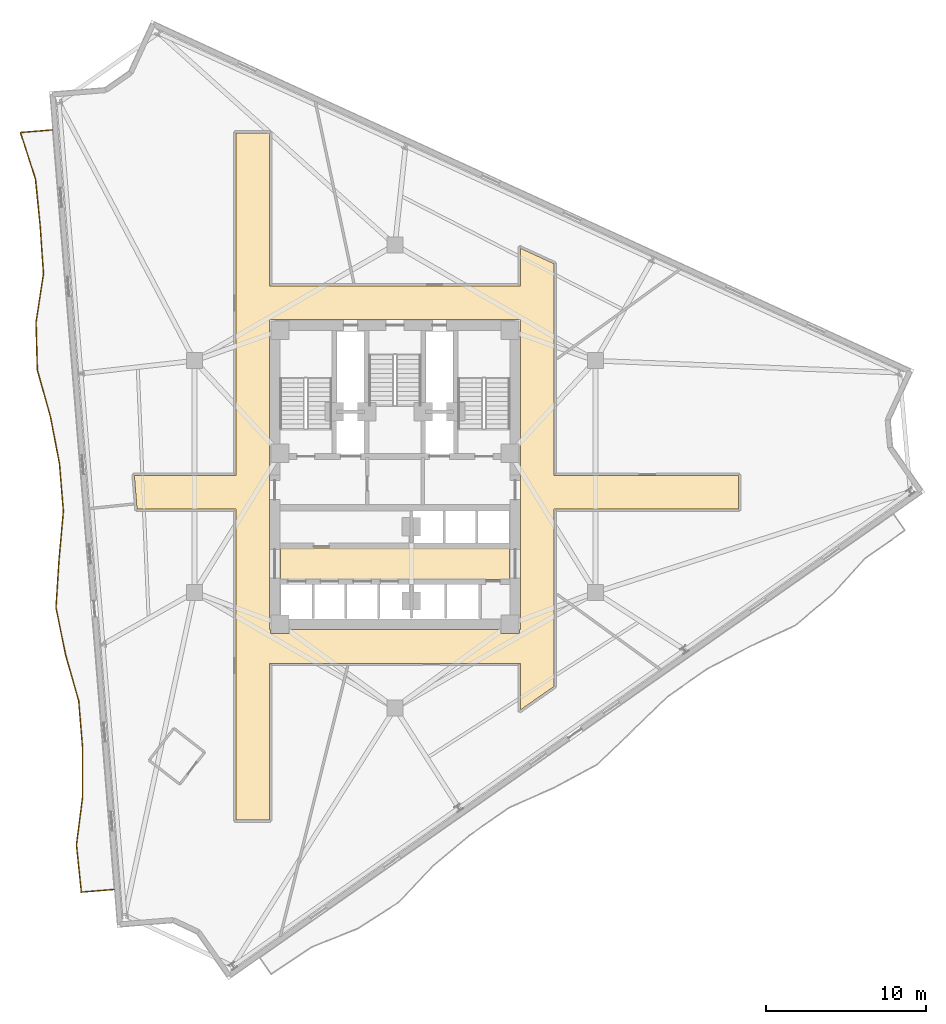
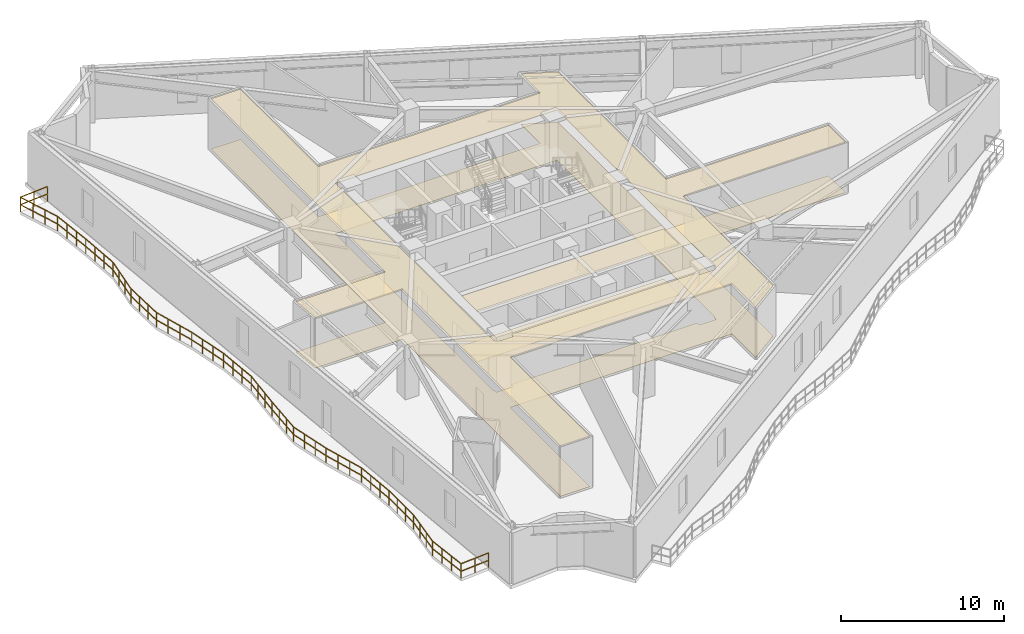
# One storey, part 8 of 10: 4 coverings, 1 railing.
"""IFC4 building model written with IfcOpenShell, lengths in metres."""

from ifc_helpers import new_model, si_unit, direction, frame, origin, origin_2d, place, context, subcontext, project, spatial, polyline, rectangle, outline, extrude, material, layer, layer_set, type_object, element, save


model = new_model("IFC4")

# Units and contexts
model_context = context("Model", 3, precision=1e-05, world=origin(), true_north=direction((0.0, 1.0)))
body_context = subcontext(model_context, "Body", "Model", "MODEL_VIEW")
ifc_project = project(units=[si_unit("LENGTHUNIT", "METRE"), si_unit("AREAUNIT", "SQUARE_METRE"), si_unit("VOLUMEUNIT", "CUBIC_METRE"), si_unit("PLANEANGLEUNIT", "RADIAN"), si_unit("MASSUNIT", "GRAM", prefix="KILO")], contexts=[model_context])

# Site, building, storey
site_placement = place(None, origin())
site = spatial("IfcSite", under=ifc_project, at=site_placement, CompositionType="ELEMENT")
building_placement = place(site_placement, origin())
building = spatial("IfcBuilding", under=site, at=building_placement, Name="Apsidion Concourse Tower", CompositionType="ELEMENT")
storey_placement = place(building_placement, frame((0.0, 0.0, 218.800048828125)))
storey = spatial("IfcBuildingStorey", under=building, at=storey_placement, Name="L51", CompositionType="ELEMENT", Elevation=218.800048828125)

# Coverings
ifc_material_1 = material(Name="Acoustic mineral fibre ceiling")
ifc_layer_1 = layer(ifc_material_1, 0.0400390625)
ifc_layer_set_1 = layer_set([ifc_layer_1], Name="Acoustic mineral fibre ceiling")
covering_type_1 = type_object("IfcCoveringType", Name="COV-CEIL-40", PredefinedType="CEILING", material=ifc_layer_set_1)
covering_1_placement = place(storey_placement, frame((0.0, 0.0, 3.75)))
element("IfcCovering", 1, at=covering_1_placement, inside=storey, type_object=covering_type_1, Name="L51 Acoustic Ceiling Grid 1", PredefinedType="CEILING", context=body_context, shape_type="SweptSolid", body=[
    extrude(outline(polyline([(-7.179931640625, -6.449951171875), (-7.179931640625, -4.47998046875), (7.179931640625, -4.47998046875), (7.179931640625, -6.449951171875), (-7.179931640625, -6.449951171875)])), origin(), (0.0, 0.0, 1.0), 0.0400390625),
])
covering_2_placement = place(storey_placement, frame((0.0, 0.0, 3.75)))
element("IfcCovering", 2, at=covering_2_placement, inside=storey, type_object=covering_type_1, Name="L51 Acoustic Ceiling Grid 2", PredefinedType="CEILING", context=body_context, shape_type="SweptSolid", body=[
    extrude(outline(polyline([(9.969970703125, -13.1357421875), (7.8701171875, -14.606201171875), (7.8701171875, -11.695068359375), (-7.8701171875, -11.695068359375), (-7.8701171875, -21.5), (-9.969970703125, -21.5), (-9.969970703125, -11.695068359375), (-9.969970703125, -2.050048828125), (-16.150634765625, -2.050048828125), (-16.3212890625, 0.050048828125), (-9.969970703125, 0.050048828125), (-9.969970703125, 11.919921875), (-9.969970703125, 21.5), (-7.8701171875, 21.5), (-7.8701171875, 11.919921875), (7.8701171875, 11.919921875), (7.8701171875, 14.282958984375), (9.969970703125, 13.319580078125), (9.969970703125, 11.919921875), (9.969970703125, 0.050048828125), (21.5, 0.050048828125), (21.5, -2.050048828125), (9.969970703125, -2.050048828125), (9.969970703125, -11.695068359375), (9.969970703125, -13.1357421875)]), holes=[polyline([(7.8701171875, -2.050048828125), (7.8701171875, 0.050048828125), (7.8701171875, 9.820068359375), (-7.8701171875, 9.820068359375), (-7.8701171875, 0.050048828125), (-7.8701171875, -2.050048828125), (-7.8701171875, -9.594970703125), (-7.794921875, -9.594970703125), (-7.794921875, -9.824951171875), (-7.794921875, -9.826904296875), (-7.794677734375, -9.828857421875), (-7.794189453125, -9.830810546875), (-7.79345703125, -9.832763671875), (-7.79248046875, -9.83447265625), (-7.79150390625, -9.836181640625), (-7.79052734375, -9.837646484375), (-7.7890625, -9.839111328125), (-7.78759765625, -9.840576171875), (-7.7861328125, -9.841552734375), (-7.784423828125, -9.842529296875), (-7.78271484375, -9.843505859375), (-7.78076171875, -9.843994140625), (-7.77880859375, -9.844482421875), (-7.777099609375, -9.844970703125), (-7.77490234375, -9.844970703125), (-6.625, -9.844970703125), (-6.623046875, -9.844970703125), (-6.62109375, -9.844482421875), (-6.619140625, -9.843994140625), (-6.6171875, -9.843505859375), (-6.615478515625, -9.842529296875), (-6.614013671875, -9.841552734375), (-6.6123046875, -9.840576171875), (-6.61083984375, -9.839111328125), (-6.609619140625, -9.837646484375), (-6.6083984375, -9.836181640625), (-6.607421875, -9.83447265625), (-6.6064453125, -9.832763671875), (-6.60595703125, -9.830810546875), (-6.60546875, -9.828857421875), (-6.60498046875, -9.826904296875), (-6.60498046875, -9.824951171875), (-6.60498046875, -9.594970703125), (6.60498046875, -9.594970703125), (6.60498046875, -9.824951171875), (6.60498046875, -9.826904296875), (6.60546875, -9.828857421875), (6.60595703125, -9.830810546875), (6.6064453125, -9.832763671875), (6.607421875, -9.83447265625), (6.6083984375, -9.836181640625), (6.609619140625, -9.837646484375), (6.61083984375, -9.839111328125), (6.6123046875, -9.840576171875), (6.614013671875, -9.841552734375), (6.615478515625, -9.842529296875), (6.6171875, -9.843505859375), (6.619140625, -9.843994140625), (6.62109375, -9.844482421875), (6.623046875, -9.844970703125), (6.625, -9.844970703125), (7.77490234375, -9.844970703125), (7.777099609375, -9.844970703125), (7.77880859375, -9.844482421875), (7.78076171875, -9.843994140625), (7.78271484375, -9.843505859375), (7.784423828125, -9.842529296875), (7.7861328125, -9.841552734375), (7.78759765625, -9.840576171875), (7.7890625, -9.839111328125), (7.79052734375, -9.837646484375), (7.79150390625, -9.836181640625), (7.79248046875, -9.83447265625), (7.79345703125, -9.832763671875), (7.794189453125, -9.830810546875), (7.794677734375, -9.828857421875), (7.794921875, -9.826904296875), (7.794921875, -9.824951171875), (7.794921875, -9.594970703125), (7.8701171875, -9.594970703125), (7.8701171875, -2.050048828125)])]), origin(), (0.0, 0.0, 1.0), 0.0400390625),
])
ifc_material_2 = material(Name="Honed travertine floor finish", Category="masonry")
ifc_layer_2 = layer(ifc_material_2, 0.02001953125)
ifc_layer_set_2 = layer_set([ifc_layer_2], Name="Honed travertine floor finish")
covering_type_2 = type_object("IfcCoveringType", Name="COV-FLOR-20", PredefinedType="FLOORING", material=ifc_layer_set_2)
covering_3_placement = place(storey_placement, origin())
element("IfcCovering", 3, at=covering_3_placement, inside=storey, type_object=covering_type_2, Name="L51 Honed Travertine Floor Finish 1", PredefinedType="FLOORING", context=body_context, shape_type="SweptSolid", body=[
    extrude(outline(polyline([(-7.179931640625, -6.449951171875), (-7.179931640625, -4.47998046875), (7.179931640625, -4.47998046875), (7.179931640625, -6.449951171875), (-7.179931640625, -6.449951171875)])), origin(), (0.0, 0.0, 1.0), 0.02001953125),
])
covering_4_placement = place(storey_placement, origin())
element("IfcCovering", 4, at=covering_4_placement, inside=storey, type_object=covering_type_2, Name="L51 Honed Travertine Floor Finish 2", PredefinedType="FLOORING", context=body_context, shape_type="SweptSolid", body=[
    extrude(outline(polyline([(9.969970703125, -13.1357421875), (7.8701171875, -14.606201171875), (7.8701171875, -11.695068359375), (-7.8701171875, -11.695068359375), (-7.8701171875, -21.5), (-9.969970703125, -21.5), (-9.969970703125, -11.695068359375), (-9.969970703125, -2.050048828125), (-16.150634765625, -2.050048828125), (-16.3212890625, 0.050048828125), (-9.969970703125, 0.050048828125), (-9.969970703125, 11.919921875), (-9.969970703125, 21.5), (-7.8701171875, 21.5), (-7.8701171875, 11.919921875), (7.8701171875, 11.919921875), (7.8701171875, 14.282958984375), (9.969970703125, 13.319580078125), (9.969970703125, 11.919921875), (9.969970703125, 0.050048828125), (21.5, 0.050048828125), (21.5, -2.050048828125), (9.969970703125, -2.050048828125), (9.969970703125, -11.695068359375), (9.969970703125, -13.1357421875)]), holes=[polyline([(7.8701171875, -2.050048828125), (7.8701171875, 0.050048828125), (7.8701171875, 9.820068359375), (-7.8701171875, 9.820068359375), (-7.8701171875, 0.050048828125), (-7.8701171875, -2.050048828125), (-7.8701171875, -9.594970703125), (-7.794921875, -9.594970703125), (-7.794921875, -9.824951171875), (-7.794921875, -9.826904296875), (-7.794677734375, -9.828857421875), (-7.794189453125, -9.830810546875), (-7.79345703125, -9.832763671875), (-7.79248046875, -9.83447265625), (-7.79150390625, -9.836181640625), (-7.79052734375, -9.837646484375), (-7.7890625, -9.839111328125), (-7.78759765625, -9.840576171875), (-7.7861328125, -9.841552734375), (-7.784423828125, -9.842529296875), (-7.78271484375, -9.843505859375), (-7.78076171875, -9.843994140625), (-7.77880859375, -9.844482421875), (-7.777099609375, -9.844970703125), (-7.77490234375, -9.844970703125), (-6.625, -9.844970703125), (-6.623046875, -9.844970703125), (-6.62109375, -9.844482421875), (-6.619140625, -9.843994140625), (-6.6171875, -9.843505859375), (-6.615478515625, -9.842529296875), (-6.614013671875, -9.841552734375), (-6.6123046875, -9.840576171875), (-6.61083984375, -9.839111328125), (-6.609619140625, -9.837646484375), (-6.6083984375, -9.836181640625), (-6.607421875, -9.83447265625), (-6.6064453125, -9.832763671875), (-6.60595703125, -9.830810546875), (-6.60546875, -9.828857421875), (-6.60498046875, -9.826904296875), (-6.60498046875, -9.824951171875), (-6.60498046875, -9.594970703125), (6.60498046875, -9.594970703125), (6.60498046875, -9.824951171875), (6.60498046875, -9.826904296875), (6.60546875, -9.828857421875), (6.60595703125, -9.830810546875), (6.6064453125, -9.832763671875), (6.607421875, -9.83447265625), (6.6083984375, -9.836181640625), (6.609619140625, -9.837646484375), (6.61083984375, -9.839111328125), (6.6123046875, -9.840576171875), (6.614013671875, -9.841552734375), (6.615478515625, -9.842529296875), (6.6171875, -9.843505859375), (6.619140625, -9.843994140625), (6.62109375, -9.844482421875), (6.623046875, -9.844970703125), (6.625, -9.844970703125), (7.77490234375, -9.844970703125), (7.777099609375, -9.844970703125), (7.77880859375, -9.844482421875), (7.78076171875, -9.843994140625), (7.78271484375, -9.843505859375), (7.784423828125, -9.842529296875), (7.7861328125, -9.841552734375), (7.78759765625, -9.840576171875), (7.7890625, -9.839111328125), (7.79052734375, -9.837646484375), (7.79150390625, -9.836181640625), (7.79248046875, -9.83447265625), (7.79345703125, -9.832763671875), (7.794189453125, -9.830810546875), (7.794677734375, -9.828857421875), (7.794921875, -9.826904296875), (7.794921875, -9.824951171875), (7.794921875, -9.594970703125), (7.8701171875, -9.594970703125), (7.8701171875, -2.050048828125)])]), origin(), (0.0, 0.0, 1.0), 0.02001953125),
])

# Railing
ifc_material_3 = material(Name="Brushed stainless steel 316", Category="steel")
railing_type = type_object("IfcRailingType", Name="RL-BAL-1120", PredefinedType="BALUSTRADE", material=ifc_material_3)
railing_placement = place(storey_placement, frame((-17.59326171875, -25.86328125, 0.0)))
element("IfcRailing", 5, at=railing_placement, inside=storey, type_object=railing_type, Name="L51 Face 1 Rippling Balcony Balustrade", PredefinedType="BALUSTRADE", context=body_context, shape_type="SweptSolid", body=[
    extrude(rectangle(XDim=0.048095703125, YDim=0.048095703125, at=origin_2d()), frame((0.0, 0.0, 1.09619140625), z_axis=(-0.9967155919, -0.080981657574, 0.0), x_axis=(0.080981657574, -0.9967155919, 0.0)), (0.0, 0.0, 1.0), 2.05615234375),
    extrude(rectangle(XDim=0.048095703125, YDim=0.048095703125, at=origin_2d()), frame((0.0, 0.0, 0.5361328125), z_axis=(-0.9967155919, -0.080981657574, 0.0), x_axis=(0.080981657574, -0.9967155919, 0.0)), (0.0, 0.0, 1.0), 2.05615234375),
    extrude(rectangle(XDim=0.048095703125, YDim=0.048095703125, at=origin_2d()), frame((-2.04931640625, -0.16650390625, 1.09619140625), z_axis=(-0.10310015096, 0.99467098021, 0.0), x_axis=(-0.99467098021, -0.10310015096, 0.0)), (0.0, 0.0, 1.0), 2.983642578125),
    extrude(rectangle(XDim=0.048095703125, YDim=0.048095703125, at=origin_2d()), frame((-2.04931640625, -0.16650390625, 0.5361328125), z_axis=(-0.10310015096, 0.99467098021, 0.0), x_axis=(-0.99467098021, -0.10310015096, 0.0)), (0.0, 0.0, 1.0), 2.983642578125),
    extrude(rectangle(XDim=0.048095703125, YDim=0.048095703125, at=origin_2d()), frame((-2.35693359375, 2.80126953125, 1.09619140625), z_axis=(0.127768124161, 0.991804066562, 0.0), x_axis=(-0.991804066562, 0.127768124161, 0.0)), (0.0, 0.0, 1.0), 3.049560546875),
    extrude(rectangle(XDim=0.048095703125, YDim=0.048095703125, at=origin_2d()), frame((-2.35693359375, 2.80126953125, 0.5361328125), z_axis=(0.127768124161, 0.991804066562, 0.0), x_axis=(-0.991804066562, 0.127768124161, 0.0)), (0.0, 0.0, 1.0), 3.049560546875),
    extrude(rectangle(XDim=0.048095703125, YDim=0.048095703125, at=origin_2d()), frame((-1.96728515625, 5.825927734375, 1.09619140625), z_axis=(-0.00097903192, 0.999999520748, 0.0), x_axis=(-0.999999520748, -0.00097903192, 0.0)), (0.0, 0.0, 1.0), 2.992431640625),
    extrude(rectangle(XDim=0.048095703125, YDim=0.048095703125, at=origin_2d()), frame((-1.96728515625, 5.825927734375, 0.5361328125), z_axis=(-0.00097903192, 0.999999520748, 0.0), x_axis=(-0.999999520748, -0.00097903192, 0.0)), (0.0, 0.0, 1.0), 2.992431640625),
    extrude(rectangle(XDim=0.048095703125, YDim=0.048095703125, at=origin_2d()), frame((-1.97021484375, 8.818359375, 1.09619140625), z_axis=(-0.080857620006, 0.996725661999, 0.0), x_axis=(-0.996725661999, -0.080857620006, 0.0)), (0.0, 0.0, 1.0), 2.983154296875),
    extrude(rectangle(XDim=0.048095703125, YDim=0.048095703125, at=origin_2d()), frame((-1.97021484375, 8.818359375, 0.5361328125), z_axis=(-0.080857620006, 0.996725661999, 0.0), x_axis=(-0.996725661999, -0.080857620006, 0.0)), (0.0, 0.0, 1.0), 2.983154296875),
    extrude(rectangle(XDim=0.048095703125, YDim=0.048095703125, at=origin_2d()), frame((-2.21142578125, 11.791748046875, 1.09619140625), z_axis=(-0.273501614882, 0.96187154374, 0.0), x_axis=(-0.96187154374, -0.273501614882, 0.0)), (0.0, 0.0, 1.0), 3.041259765625),
    extrude(rectangle(XDim=0.048095703125, YDim=0.048095703125, at=origin_2d()), frame((-2.21142578125, 11.791748046875, 0.5361328125), z_axis=(-0.273501614882, 0.96187154374, 0.0), x_axis=(-0.96187154374, -0.273501614882, 0.0)), (0.0, 0.0, 1.0), 3.041259765625),
    extrude(rectangle(XDim=0.048095703125, YDim=0.048095703125, at=origin_2d()), frame((-3.043212890625, 14.717041015625, 1.09619140625), z_axis=(-0.198537951015, 0.980093200674, 0.0), x_axis=(-0.980093200674, -0.198537951015, 0.0)), (0.0, 0.0, 1.0), 3.004150390625),
    extrude(rectangle(XDim=0.048095703125, YDim=0.048095703125, at=origin_2d()), frame((-3.043212890625, 14.717041015625, 0.5361328125), z_axis=(-0.198537951015, 0.980093200674, 0.0), x_axis=(-0.980093200674, -0.198537951015, 0.0)), (0.0, 0.0, 1.0), 3.004150390625),
    extrude(rectangle(XDim=0.048095703125, YDim=0.048095703125, at=origin_2d()), frame((-3.6396484375, 17.661376953125, 1.09619140625), z_axis=(0.064142919358, 0.997940722636, 0.0), x_axis=(-0.997940722636, 0.064142919358, 0.0)), (0.0, 0.0, 1.0), 3.014404296875),
    extrude(rectangle(XDim=0.048095703125, YDim=0.048095703125, at=origin_2d()), frame((-3.6396484375, 17.661376953125, 0.5361328125), z_axis=(0.064142919358, 0.997940722636, 0.0), x_axis=(-0.997940722636, 0.064142919358, 0.0)), (0.0, 0.0, 1.0), 3.014404296875),
    extrude(rectangle(XDim=0.048095703125, YDim=0.048095703125, at=origin_2d()), frame((-3.4462890625, 20.669677734375, 1.09619140625), z_axis=(0.088884783358, 0.996041914423, 0.0), x_axis=(-0.996041914423, 0.088884783358, 0.0)), (0.0, 0.0, 1.0), 3.02685546875),
    extrude(rectangle(XDim=0.048095703125, YDim=0.048095703125, at=origin_2d()), frame((-3.4462890625, 20.669677734375, 0.5361328125), z_axis=(0.088884783358, 0.996041914423, 0.0), x_axis=(-0.996041914423, 0.088884783358, 0.0)), (0.0, 0.0, 1.0), 3.02685546875),
    extrude(rectangle(XDim=0.048095703125, YDim=0.048095703125, at=origin_2d()), frame((-3.17724609375, 23.6845703125, 1.09619140625), z_axis=(-0.080864216238, 0.996725126869, 0.0), x_axis=(-0.996725126869, -0.080864216238, 0.0)), (0.0, 0.0, 1.0), 2.98291015625),
    extrude(rectangle(XDim=0.048095703125, YDim=0.048095703125, at=origin_2d()), frame((-3.17724609375, 23.6845703125, 0.5361328125), z_axis=(-0.080864216238, 0.996725126869, 0.0), x_axis=(-0.996725126869, -0.080864216238, 0.0)), (0.0, 0.0, 1.0), 2.98291015625),
    extrude(rectangle(XDim=0.048095703125, YDim=0.048095703125, at=origin_2d()), frame((-3.41845703125, 26.65771484375, 1.09619140625), z_axis=(-0.188756863091, 0.982023852376, 0.0), x_axis=(-0.982023852376, -0.188756863091, 0.0)), (0.0, 0.0, 1.0), 3.000732421875),
    extrude(rectangle(XDim=0.048095703125, YDim=0.048095703125, at=origin_2d()), frame((-3.41845703125, 26.65771484375, 0.5361328125), z_axis=(-0.188756863091, 0.982023852376, 0.0), x_axis=(-0.982023852376, -0.188756863091, 0.0)), (0.0, 0.0, 1.0), 3.000732421875),
    extrude(rectangle(XDim=0.048095703125, YDim=0.048095703125, at=origin_2d()), frame((-3.98486328125, 29.6044921875, 1.09619140625), z_axis=(-0.270464090514, 0.962730063799, 0.0), x_axis=(-0.962730063799, -0.270464090514, 0.0)), (0.0, 0.0, 1.0), 3.039306640625),
    extrude(rectangle(XDim=0.048095703125, YDim=0.048095703125, at=origin_2d()), frame((-3.98486328125, 29.6044921875, 0.5361328125), z_axis=(-0.270464090514, 0.962730063799, 0.0), x_axis=(-0.962730063799, -0.270464090514, 0.0)), (0.0, 0.0, 1.0), 3.039306640625),
    extrude(rectangle(XDim=0.048095703125, YDim=0.048095703125, at=origin_2d()), frame((-4.806884765625, 32.530517578125, 1.09619140625), z_axis=(-0.026968604704, 0.999636281034, 0.0), x_axis=(-0.999636281034, -0.026968604704, 0.0)), (0.0, 0.0, 1.0), 2.9873046875),
    extrude(rectangle(XDim=0.048095703125, YDim=0.048095703125, at=origin_2d()), frame((-4.806884765625, 32.530517578125, 0.5361328125), z_axis=(-0.026968604704, 0.999636281034, 0.0), x_axis=(-0.999636281034, -0.026968604704, 0.0)), (0.0, 0.0, 1.0), 2.9873046875),
    extrude(rectangle(XDim=0.048095703125, YDim=0.048095703125, at=origin_2d()), frame((-4.887451171875, 35.516845703125, 1.09619140625), z_axis=(0.15138096474, 0.988475494645, 0.0), x_axis=(-0.988475494645, 0.15138096474, 0.0)), (0.0, 0.0, 1.0), 3.06591796875),
    extrude(rectangle(XDim=0.048095703125, YDim=0.048095703125, at=origin_2d()), frame((-4.887451171875, 35.516845703125, 0.5361328125), z_axis=(0.15138096474, 0.988475494645, 0.0), x_axis=(-0.988475494645, 0.15138096474, 0.0)), (0.0, 0.0, 1.0), 3.06591796875),
    extrude(rectangle(XDim=0.048095703125, YDim=0.048095703125, at=origin_2d()), frame((-4.42333984375, 38.54736328125, 1.09619140625), z_axis=(-0.067844304677, 0.997695920771, 0.0), x_axis=(-0.997695920771, -0.067844304677, 0.0)), (0.0, 0.0, 1.0), 2.983154296875),
    extrude(rectangle(XDim=0.048095703125, YDim=0.048095703125, at=origin_2d()), frame((-4.42333984375, 38.54736328125, 0.5361328125), z_axis=(-0.067844304677, 0.997695920771, 0.0), x_axis=(-0.997695920771, -0.067844304677, 0.0)), (0.0, 0.0, 1.0), 2.983154296875),
    extrude(rectangle(XDim=0.048095703125, YDim=0.048095703125, at=origin_2d()), frame((-4.625732421875, 41.523681640625, 1.09619140625), z_axis=(-0.099341678003, 0.995053380986, 0.0), x_axis=(-0.995053380986, -0.099341678003, 0.0)), (0.0, 0.0, 1.0), 2.9833984375),
    extrude(rectangle(XDim=0.048095703125, YDim=0.048095703125, at=origin_2d()), frame((-4.625732421875, 41.523681640625, 0.5361328125), z_axis=(-0.099341678003, 0.995053380986, 0.0), x_axis=(-0.995053380986, -0.099341678003, 0.0)), (0.0, 0.0, 1.0), 2.9833984375),
    extrude(rectangle(XDim=0.048095703125, YDim=0.048095703125, at=origin_2d()), frame((-4.922119140625, 44.492431640625, 1.09619140625), z_axis=(-0.307779990721, 0.95145755413, 0.0), x_axis=(-0.95145755413, -0.307779990721, 0.0)), (0.0, 0.0, 1.0), 3.06494140625),
    extrude(rectangle(XDim=0.048095703125, YDim=0.048095703125, at=origin_2d()), frame((-4.922119140625, 44.492431640625, 0.5361328125), z_axis=(-0.307779990721, 0.95145755413, 0.0), x_axis=(-0.95145755413, -0.307779990721, 0.0)), (0.0, 0.0, 1.0), 3.06494140625),
    extrude(rectangle(XDim=0.048095703125, YDim=0.048095703125, at=origin_2d()), frame((-5.865478515625, 47.40869140625, 1.09619140625), z_axis=(0.996721108413, 0.080913732107, 0.0), x_axis=(-0.080913732107, 0.996721108413, 0.0)), (0.0, 0.0, 1.0), 2.009521484375),
    extrude(rectangle(XDim=0.048095703125, YDim=0.048095703125, at=origin_2d()), frame((-5.865478515625, 47.40869140625, 0.5361328125), z_axis=(0.996721108413, 0.080913732107, 0.0), x_axis=(-0.080913732107, 0.996721108413, 0.0)), (0.0, 0.0, 1.0), 2.009521484375),
    extrude(rectangle(XDim=0.0419921875, YDim=0.0419921875, at=origin_2d()), origin(), (0.0, 0.0, 1.0), 1.072021484375),
    extrude(rectangle(XDim=0.0419921875, YDim=0.0419921875, at=origin_2d()), frame((-1.024658203125, -0.083251953125, 0.0)), (0.0, 0.0, 1.0), 1.072021484375),
    extrude(rectangle(XDim=0.0419921875, YDim=0.0419921875, at=origin_2d()), frame((-2.04931640625, -0.16650390625, 0.0)), (0.0, 0.0, 1.0), 1.072021484375),
    extrude(rectangle(XDim=0.0419921875, YDim=0.0419921875, at=origin_2d()), frame((-2.15185546875, 0.82275390625, 0.0)), (0.0, 0.0, 1.0), 1.072021484375),
    extrude(rectangle(XDim=0.0419921875, YDim=0.0419921875, at=origin_2d()), frame((-2.25439453125, 1.81201171875, 0.0)), (0.0, 0.0, 1.0), 1.072021484375),
    extrude(rectangle(XDim=0.0419921875, YDim=0.0419921875, at=origin_2d()), frame((-2.35693359375, 2.80126953125, 0.0)), (0.0, 0.0, 1.0), 1.072021484375),
    extrude(rectangle(XDim=0.0419921875, YDim=0.0419921875, at=origin_2d()), frame((-2.22705078125, 3.8095703125, 0.0)), (0.0, 0.0, 1.0), 1.072021484375),
    extrude(rectangle(XDim=0.0419921875, YDim=0.0419921875, at=origin_2d()), frame((-2.09716796875, 4.817626953125, 0.0)), (0.0, 0.0, 1.0), 1.072021484375),
    extrude(rectangle(XDim=0.0419921875, YDim=0.0419921875, at=origin_2d()), frame((-1.96728515625, 5.825927734375, 0.0)), (0.0, 0.0, 1.0), 1.072021484375),
    extrude(rectangle(XDim=0.0419921875, YDim=0.0419921875, at=origin_2d()), frame((-1.96826171875, 6.823486328125, 0.0)), (0.0, 0.0, 1.0), 1.072021484375),
    extrude(rectangle(XDim=0.0419921875, YDim=0.0419921875, at=origin_2d()), frame((-1.96923828125, 7.82080078125, 0.0)), (0.0, 0.0, 1.0), 1.072021484375),
    extrude(rectangle(XDim=0.0419921875, YDim=0.0419921875, at=origin_2d()), frame((-1.97021484375, 8.818359375, 0.0)), (0.0, 0.0, 1.0), 1.072021484375),
    extrude(rectangle(XDim=0.0419921875, YDim=0.0419921875, at=origin_2d()), frame((-2.050537109375, 9.8095703125, 0.0)), (0.0, 0.0, 1.0), 1.072021484375),
    extrude(rectangle(XDim=0.0419921875, YDim=0.0419921875, at=origin_2d()), frame((-2.131103515625, 10.800537109375, 0.0)), (0.0, 0.0, 1.0), 1.072021484375),
    extrude(rectangle(XDim=0.0419921875, YDim=0.0419921875, at=origin_2d()), frame((-2.21142578125, 11.791748046875, 0.0)), (0.0, 0.0, 1.0), 1.072021484375),
    extrude(rectangle(XDim=0.0419921875, YDim=0.0419921875, at=origin_2d()), frame((-2.48876953125, 12.766845703125, 0.0)), (0.0, 0.0, 1.0), 1.072021484375),
    extrude(rectangle(XDim=0.0419921875, YDim=0.0419921875, at=origin_2d()), frame((-2.765869140625, 13.741943359375, 0.0)), (0.0, 0.0, 1.0), 1.072021484375),
    extrude(rectangle(XDim=0.0419921875, YDim=0.0419921875, at=origin_2d()), frame((-3.043212890625, 14.717041015625, 0.0)), (0.0, 0.0, 1.0), 1.072021484375),
    extrude(rectangle(XDim=0.0419921875, YDim=0.0419921875, at=origin_2d()), frame((-3.241943359375, 15.698486328125, 0.0)), (0.0, 0.0, 1.0), 1.072021484375),
    extrude(rectangle(XDim=0.0419921875, YDim=0.0419921875, at=origin_2d()), frame((-3.44091796875, 16.679931640625, 0.0)), (0.0, 0.0, 1.0), 1.072021484375),
    extrude(rectangle(XDim=0.0419921875, YDim=0.0419921875, at=origin_2d()), frame((-3.6396484375, 17.661376953125, 0.0)), (0.0, 0.0, 1.0), 1.072021484375),
    extrude(rectangle(XDim=0.0419921875, YDim=0.0419921875, at=origin_2d()), frame((-3.5751953125, 18.6640625, 0.0)), (0.0, 0.0, 1.0), 1.072021484375),
    extrude(rectangle(XDim=0.0419921875, YDim=0.0419921875, at=origin_2d()), frame((-3.5107421875, 19.6669921875, 0.0)), (0.0, 0.0, 1.0), 1.072021484375),
    extrude(rectangle(XDim=0.0419921875, YDim=0.0419921875, at=origin_2d()), frame((-3.4462890625, 20.669677734375, 0.0)), (0.0, 0.0, 1.0), 1.072021484375),
    extrude(rectangle(XDim=0.0419921875, YDim=0.0419921875, at=origin_2d()), frame((-3.356689453125, 21.674560546875, 0.0)), (0.0, 0.0, 1.0), 1.072021484375),
    extrude(rectangle(XDim=0.0419921875, YDim=0.0419921875, at=origin_2d()), frame((-3.266845703125, 22.6796875, 0.0)), (0.0, 0.0, 1.0), 1.072021484375),
    extrude(rectangle(XDim=0.0419921875, YDim=0.0419921875, at=origin_2d()), frame((-3.17724609375, 23.6845703125, 0.0)), (0.0, 0.0, 1.0), 1.072021484375),
    extrude(rectangle(XDim=0.0419921875, YDim=0.0419921875, at=origin_2d()), frame((-3.257568359375, 24.675537109375, 0.0)), (0.0, 0.0, 1.0), 1.072021484375),
    extrude(rectangle(XDim=0.0419921875, YDim=0.0419921875, at=origin_2d()), frame((-3.338134765625, 25.666748046875, 0.0)), (0.0, 0.0, 1.0), 1.072021484375),
    extrude(rectangle(XDim=0.0419921875, YDim=0.0419921875, at=origin_2d()), frame((-3.41845703125, 26.65771484375, 0.0)), (0.0, 0.0, 1.0), 1.072021484375),
    extrude(rectangle(XDim=0.0419921875, YDim=0.0419921875, at=origin_2d()), frame((-3.607177734375, 27.639892578125, 0.0)), (0.0, 0.0, 1.0), 1.072021484375),
    extrude(rectangle(XDim=0.0419921875, YDim=0.0419921875, at=origin_2d()), frame((-3.796142578125, 28.622314453125, 0.0)), (0.0, 0.0, 1.0), 1.072021484375),
    extrude(rectangle(XDim=0.0419921875, YDim=0.0419921875, at=origin_2d()), frame((-3.98486328125, 29.6044921875, 0.0)), (0.0, 0.0, 1.0), 1.072021484375),
    extrude(rectangle(XDim=0.0419921875, YDim=0.0419921875, at=origin_2d()), frame((-4.2587890625, 30.579833984375, 0.0)), (0.0, 0.0, 1.0), 1.072021484375),
    extrude(rectangle(XDim=0.0419921875, YDim=0.0419921875, at=origin_2d()), frame((-4.532958984375, 31.55517578125, 0.0)), (0.0, 0.0, 1.0), 1.072021484375),
    extrude(rectangle(XDim=0.0419921875, YDim=0.0419921875, at=origin_2d()), frame((-4.806884765625, 32.530517578125, 0.0)), (0.0, 0.0, 1.0), 1.072021484375),
    extrude(rectangle(XDim=0.0419921875, YDim=0.0419921875, at=origin_2d()), frame((-4.833740234375, 33.52587890625, 0.0)), (0.0, 0.0, 1.0), 1.072021484375),
    extrude(rectangle(XDim=0.0419921875, YDim=0.0419921875, at=origin_2d()), frame((-4.860595703125, 34.521484375, 0.0)), (0.0, 0.0, 1.0), 1.072021484375),
    extrude(rectangle(XDim=0.0419921875, YDim=0.0419921875, at=origin_2d()), frame((-4.887451171875, 35.516845703125, 0.0)), (0.0, 0.0, 1.0), 1.072021484375),
    extrude(rectangle(XDim=0.0419921875, YDim=0.0419921875, at=origin_2d()), frame((-4.732666015625, 36.527099609375, 0.0)), (0.0, 0.0, 1.0), 1.072021484375),
    extrude(rectangle(XDim=0.0419921875, YDim=0.0419921875, at=origin_2d()), frame((-4.578125, 37.537109375, 0.0)), (0.0, 0.0, 1.0), 1.072021484375),
    extrude(rectangle(XDim=0.0419921875, YDim=0.0419921875, at=origin_2d()), frame((-4.42333984375, 38.54736328125, 0.0)), (0.0, 0.0, 1.0), 1.072021484375),
    extrude(rectangle(XDim=0.0419921875, YDim=0.0419921875, at=origin_2d()), frame((-4.49072265625, 39.53955078125, 0.0)), (0.0, 0.0, 1.0), 1.072021484375),
    extrude(rectangle(XDim=0.0419921875, YDim=0.0419921875, at=origin_2d()), frame((-4.558349609375, 40.531494140625, 0.0)), (0.0, 0.0, 1.0), 1.072021484375),
    extrude(rectangle(XDim=0.0419921875, YDim=0.0419921875, at=origin_2d()), frame((-4.625732421875, 41.523681640625, 0.0)), (0.0, 0.0, 1.0), 1.072021484375),
    extrude(rectangle(XDim=0.0419921875, YDim=0.0419921875, at=origin_2d()), frame((-4.724609375, 42.51318359375, 0.0)), (0.0, 0.0, 1.0), 1.072021484375),
    extrude(rectangle(XDim=0.0419921875, YDim=0.0419921875, at=origin_2d()), frame((-4.8232421875, 43.5029296875, 0.0)), (0.0, 0.0, 1.0), 1.072021484375),
    extrude(rectangle(XDim=0.0419921875, YDim=0.0419921875, at=origin_2d()), frame((-4.922119140625, 44.492431640625, 0.0)), (0.0, 0.0, 1.0), 1.072021484375),
    extrude(rectangle(XDim=0.0419921875, YDim=0.0419921875, at=origin_2d()), frame((-5.236572265625, 45.464599609375, 0.0)), (0.0, 0.0, 1.0), 1.072021484375),
    extrude(rectangle(XDim=0.0419921875, YDim=0.0419921875, at=origin_2d()), frame((-5.551025390625, 46.4365234375, 0.0)), (0.0, 0.0, 1.0), 1.072021484375),
    extrude(rectangle(XDim=0.0419921875, YDim=0.0419921875, at=origin_2d()), frame((-5.865478515625, 47.40869140625, 0.0)), (0.0, 0.0, 1.0), 1.072021484375),
    extrude(rectangle(XDim=0.0419921875, YDim=0.0419921875, at=origin_2d()), frame((-4.864013671875, 47.489990234375, 0.0)), (0.0, 0.0, 1.0), 1.072021484375),
    extrude(rectangle(XDim=0.0419921875, YDim=0.0419921875, at=origin_2d()), frame((-3.862548828125, 47.5712890625, 0.0)), (0.0, 0.0, 1.0), 1.072021484375),
])

save(model, "model.ifc")
